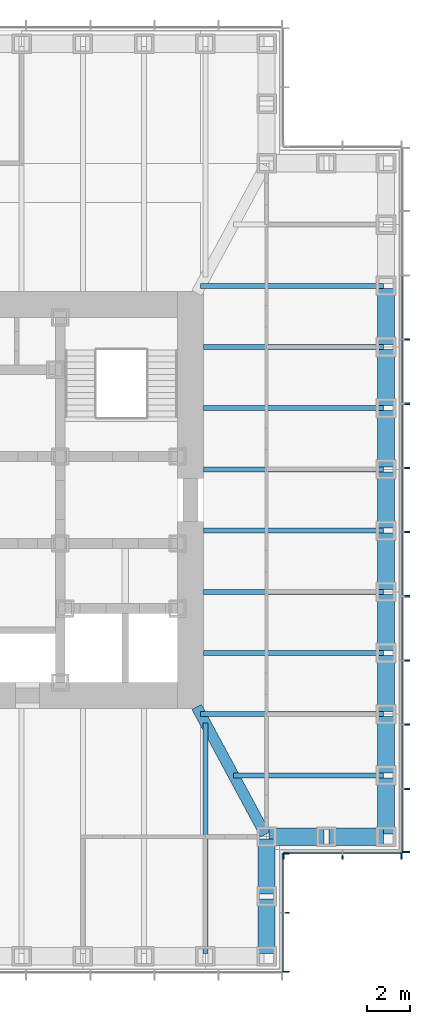
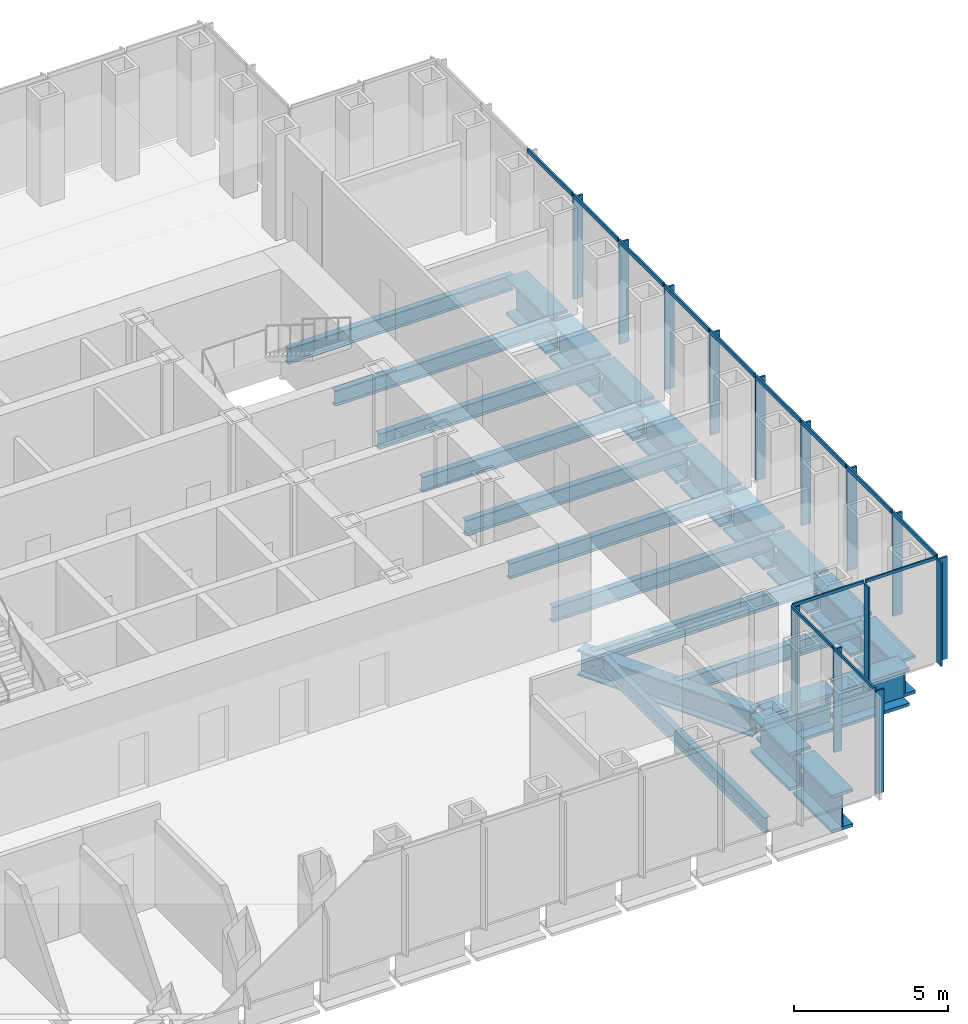
# One storey, part 4 of 16: 28 members, 24 beams, 3 elements without a shape of their own.
"""IFC4 building model written with IfcOpenShell, lengths in metres."""

from ifc_helpers import new_model, si_unit, direction, frame, origin, origin_2d, place, context, subcontext, project, spatial, rectangle, i_section, extrude, material, material_profile, profile_set, type_object, element, aggregate, save


model = new_model("IFC4")

# Units and contexts
model_context = context("Model", 3, precision=1e-05, world=origin(), true_north=direction((0.0, 1.0)))
body_context = subcontext(model_context, "Body", "Model", "MODEL_VIEW")
ifc_project = project(units=[si_unit("LENGTHUNIT", "METRE"), si_unit("AREAUNIT", "SQUARE_METRE"), si_unit("VOLUMEUNIT", "CUBIC_METRE"), si_unit("PLANEANGLEUNIT", "RADIAN"), si_unit("MASSUNIT", "GRAM", prefix="KILO")], contexts=[model_context])

# Site, building, storey
site_placement = place(None, origin())
site = spatial("IfcSite", under=ifc_project, at=site_placement, CompositionType="ELEMENT")
building_placement = place(site_placement, origin())
building = spatial("IfcBuilding", under=site, at=building_placement, Name="Daluyong Arena Tower", CompositionType="ELEMENT")
storey_placement = place(building_placement, frame((0.0, 0.0, 198.10009765625)))
storey = spatial("IfcBuildingStorey", under=building, at=storey_placement, Name="L44", CompositionType="ELEMENT", Elevation=198.10009765625)

# Curtain wall, members
ifc_material_1 = material(Name="Bronze anodised aluminium and glass", Category="aluminium")
curtain_wall_type_1 = type_object("IfcCurtainWallType", Name="Curtain wall CW3", PredefinedType="USERDEFINED", material=ifc_material_1)
curtain_wall_1_placement = place(storey_placement, origin())
curtain_wall_1 = element("IfcCurtainWall", 1, at=curtain_wall_1_placement, inside=storey, type_object=curtain_wall_type_1, Name="curtain wall L44 E", ObjectType="UNITISED CURTAIN WALL", PredefinedType="USERDEFINED")
ifc_material_2 = material(Name="Bronze anodised aluminium fin", Category="aluminium")
ifc_material_profile_1 = material_profile(ifc_material_2, rectangle(XDim=0.35009765625, YDim=0.070068359375, at=origin_2d()))
ifc_profile_set_1 = profile_set([ifc_material_profile_1], Name="Bronze anodised aluminium fin")
member_type_1 = type_object("IfcMemberType", Name="CW3 bronze fin 350x70", PredefinedType="MULLION", material=ifc_profile_set_1)
member_1_placement = place(storey_placement, frame((77.925048828125, 63.784912109375, 0.0), z_axis=(0.0, 0.0, 1.0), x_axis=(-1.0, 0.0, 0.0)))
member_1 = element("IfcMember", 2, at=member_1_placement, type_object=member_type_1, Name="curtain wall L44 E fin 1", PredefinedType="MULLION", context=body_context, shape_type="SweptSolid", body=[
    extrude(rectangle(XDim=0.35009765625, YDim=0.070068359375, at=origin_2d()), origin(), (0.0, 0.0, 1.0), 4.039794921875),
])
member_2_placement = place(storey_placement, frame((77.925048828125, 66.70458984375, 0.0), z_axis=(0.0, 0.0, 1.0), x_axis=(-1.0, 0.0, 0.0)))
member_2 = element("IfcMember", 3, at=member_2_placement, type_object=member_type_1, Name="curtain wall L44 E fin 2", PredefinedType="MULLION", context=body_context, shape_type="SweptSolid", body=[
    extrude(rectangle(XDim=0.35009765625, YDim=0.070068359375, at=origin_2d()), origin(), (0.0, 0.0, 1.0), 4.039794921875),
])
member_3_placement = place(storey_placement, frame((77.925048828125, 69.6591796875, 0.0), z_axis=(0.0, 0.0, 1.0), x_axis=(-1.0, 0.0, 0.0)))
member_3 = element("IfcMember", 4, at=member_3_placement, type_object=member_type_1, Name="curtain wall L44 E fin 3", PredefinedType="MULLION", context=body_context, shape_type="SweptSolid", body=[
    extrude(rectangle(XDim=0.35009765625, YDim=0.070068359375, at=origin_2d()), origin(), (0.0, 0.0, 1.0), 4.039794921875),
])
member_4_placement = place(storey_placement, frame((77.925048828125, 72.613525390625, 0.0), z_axis=(0.0, 0.0, 1.0), x_axis=(-1.0, 0.0, 0.0)))
member_4 = element("IfcMember", 5, at=member_4_placement, type_object=member_type_1, Name="curtain wall L44 E fin 4", PredefinedType="MULLION", context=body_context, shape_type="SweptSolid", body=[
    extrude(rectangle(XDim=0.35009765625, YDim=0.070068359375, at=origin_2d()), origin(), (0.0, 0.0, 1.0), 4.039794921875),
])
member_5_placement = place(storey_placement, frame((77.925048828125, 75.568115234375, 0.0), z_axis=(0.0, 0.0, 1.0), x_axis=(-1.0, 0.0, 0.0)))
member_5 = element("IfcMember", 6, at=member_5_placement, type_object=member_type_1, Name="curtain wall L44 E fin 5", PredefinedType="MULLION", context=body_context, shape_type="SweptSolid", body=[
    extrude(rectangle(XDim=0.35009765625, YDim=0.070068359375, at=origin_2d()), origin(), (0.0, 0.0, 1.0), 4.039794921875),
])
member_6_placement = place(storey_placement, frame((77.925048828125, 78.522705078125, 0.0), z_axis=(0.0, 0.0, 1.0), x_axis=(-1.0, 0.0, 0.0)))
member_6 = element("IfcMember", 7, at=member_6_placement, type_object=member_type_1, Name="curtain wall L44 E fin 6", PredefinedType="MULLION", context=body_context, shape_type="SweptSolid", body=[
    extrude(rectangle(XDim=0.35009765625, YDim=0.070068359375, at=origin_2d()), origin(), (0.0, 0.0, 1.0), 4.039794921875),
])
member_7_placement = place(storey_placement, frame((77.925048828125, 81.477294921875, 0.0), z_axis=(0.0, 0.0, 1.0), x_axis=(-1.0, 0.0, 0.0)))
member_7 = element("IfcMember", 8, at=member_7_placement, type_object=member_type_1, Name="curtain wall L44 E fin 7", PredefinedType="MULLION", context=body_context, shape_type="SweptSolid", body=[
    extrude(rectangle(XDim=0.35009765625, YDim=0.070068359375, at=origin_2d()), origin(), (0.0, 0.0, 1.0), 4.039794921875),
])
member_8_placement = place(storey_placement, frame((77.925048828125, 84.431884765625, 0.0), z_axis=(0.0, 0.0, 1.0), x_axis=(-1.0, 0.0, 0.0)))
member_8 = element("IfcMember", 9, at=member_8_placement, type_object=member_type_1, Name="curtain wall L44 E fin 8", PredefinedType="MULLION", context=body_context, shape_type="SweptSolid", body=[
    extrude(rectangle(XDim=0.35009765625, YDim=0.070068359375, at=origin_2d()), origin(), (0.0, 0.0, 1.0), 4.039794921875),
])
member_9_placement = place(storey_placement, frame((77.925048828125, 87.386474609375, 0.0), z_axis=(0.0, 0.0, 1.0), x_axis=(-1.0, 0.0, 0.0)))
member_9 = element("IfcMember", 10, at=member_9_placement, type_object=member_type_1, Name="curtain wall L44 E fin 9", PredefinedType="MULLION", context=body_context, shape_type="SweptSolid", body=[
    extrude(rectangle(XDim=0.35009765625, YDim=0.070068359375, at=origin_2d()), origin(), (0.0, 0.0, 1.0), 4.039794921875),
])
ifc_material_3 = material(Name="Bronze anodised aluminium", Category="aluminium")
ifc_material_profile_2 = material_profile(ifc_material_3, rectangle(XDim=0.070068359375, YDim=0.159912109375, at=origin_2d()))
ifc_profile_set_2 = profile_set([ifc_material_profile_2], Name="Bronze anodised aluminium")
member_type_2 = type_object("IfcMemberType", Name="CW3 stack transom 160x70", PredefinedType="USERDEFINED", material=ifc_profile_set_2)
member_10_placement = place(storey_placement, frame((77.75, 63.820068359375, 4.119873046875), z_axis=(0.0, 1.0, 0.0), x_axis=(-1.0, 0.0, 0.0)))
member_10 = element("IfcMember", 11, at=member_10_placement, type_object=member_type_2, Name="curtain wall L44 E transom 1", ObjectType="TRANSOM", PredefinedType="USERDEFINED", context=body_context, shape_type="SweptSolid", body=[
    extrude(rectangle(XDim=0.070068359375, YDim=0.159912109375, at=origin_2d()), origin(), (0.0, 0.0, 1.0), 2.849365234375),
])
member_11_placement = place(storey_placement, frame((77.75, 66.739501953125, 4.119873046875), z_axis=(0.0, 1.0, 0.0), x_axis=(-1.0, 0.0, 0.0)))
member_11 = element("IfcMember", 12, at=member_11_placement, type_object=member_type_2, Name="curtain wall L44 E transom 2", ObjectType="TRANSOM", PredefinedType="USERDEFINED", context=body_context, shape_type="SweptSolid", body=[
    extrude(rectangle(XDim=0.070068359375, YDim=0.159912109375, at=origin_2d()), origin(), (0.0, 0.0, 1.0), 2.884521484375),
])
member_12_placement = place(storey_placement, frame((77.75, 69.694091796875, 4.119873046875), z_axis=(0.0, 1.0, 0.0), x_axis=(-1.0, 0.0, 0.0)))
member_12 = element("IfcMember", 13, at=member_12_placement, type_object=member_type_2, Name="curtain wall L44 E transom 3", ObjectType="TRANSOM", PredefinedType="USERDEFINED", context=body_context, shape_type="SweptSolid", body=[
    extrude(rectangle(XDim=0.070068359375, YDim=0.159912109375, at=origin_2d()), origin(), (0.0, 0.0, 1.0), 2.884521484375),
])
member_13_placement = place(storey_placement, frame((77.75, 72.648681640625, 4.119873046875), z_axis=(0.0, 1.0, 0.0), x_axis=(-1.0, 0.0, 0.0)))
member_13 = element("IfcMember", 14, at=member_13_placement, type_object=member_type_2, Name="curtain wall L44 E transom 4", ObjectType="TRANSOM", PredefinedType="USERDEFINED", context=body_context, shape_type="SweptSolid", body=[
    extrude(rectangle(XDim=0.070068359375, YDim=0.159912109375, at=origin_2d()), origin(), (0.0, 0.0, 1.0), 2.884521484375),
])
member_14_placement = place(storey_placement, frame((77.75, 75.603271484375, 4.119873046875), z_axis=(0.0, 1.0, 0.0), x_axis=(-1.0, 0.0, 0.0)))
member_14 = element("IfcMember", 15, at=member_14_placement, type_object=member_type_2, Name="curtain wall L44 E transom 5", ObjectType="TRANSOM", PredefinedType="USERDEFINED", context=body_context, shape_type="SweptSolid", body=[
    extrude(rectangle(XDim=0.070068359375, YDim=0.159912109375, at=origin_2d()), origin(), (0.0, 0.0, 1.0), 2.884521484375),
])
member_15_placement = place(storey_placement, frame((77.75, 78.5576171875, 4.119873046875), z_axis=(0.0, 1.0, 0.0), x_axis=(-1.0, 0.0, 0.0)))
member_15 = element("IfcMember", 16, at=member_15_placement, type_object=member_type_2, Name="curtain wall L44 E transom 6", ObjectType="TRANSOM", PredefinedType="USERDEFINED", context=body_context, shape_type="SweptSolid", body=[
    extrude(rectangle(XDim=0.070068359375, YDim=0.159912109375, at=origin_2d()), origin(), (0.0, 0.0, 1.0), 2.884765625),
])
member_16_placement = place(storey_placement, frame((77.75, 81.51220703125, 4.119873046875), z_axis=(0.0, 1.0, 0.0), x_axis=(-1.0, 0.0, 0.0)))
member_16 = element("IfcMember", 17, at=member_16_placement, type_object=member_type_2, Name="curtain wall L44 E transom 7", ObjectType="TRANSOM", PredefinedType="USERDEFINED", context=body_context, shape_type="SweptSolid", body=[
    extrude(rectangle(XDim=0.070068359375, YDim=0.159912109375, at=origin_2d()), origin(), (0.0, 0.0, 1.0), 2.884521484375),
])
member_17_placement = place(storey_placement, frame((77.75, 84.466796875, 4.119873046875), z_axis=(0.0, 1.0, 0.0), x_axis=(-1.0, 0.0, 0.0)))
member_17 = element("IfcMember", 18, at=member_17_placement, type_object=member_type_2, Name="curtain wall L44 E transom 8", ObjectType="TRANSOM", PredefinedType="USERDEFINED", context=body_context, shape_type="SweptSolid", body=[
    extrude(rectangle(XDim=0.070068359375, YDim=0.159912109375, at=origin_2d()), origin(), (0.0, 0.0, 1.0), 2.884521484375),
])
member_18_placement = place(storey_placement, frame((77.75, 87.42138671875, 4.119873046875), z_axis=(0.0, 1.0, 0.0), x_axis=(-1.0, 0.0, 0.0)))
member_18 = element("IfcMember", 19, at=member_18_placement, type_object=member_type_2, Name="curtain wall L44 E transom 9", ObjectType="TRANSOM", PredefinedType="USERDEFINED", context=body_context, shape_type="SweptSolid", body=[
    extrude(rectangle(XDim=0.070068359375, YDim=0.159912109375, at=origin_2d()), origin(), (0.0, 0.0, 1.0), 2.884521484375),
])
aggregate(curtain_wall_1, [member_1, member_2, member_3, member_4, member_5, member_6, member_7, member_8, member_9, member_10, member_11, member_12, member_13, member_14, member_15, member_16, member_17, member_18])

ifc_material_4 = material(Name="Bronze anodised aluminium and glass", Category="aluminium")
curtain_wall_type_2 = type_object("IfcCurtainWallType", Name="Curtain wall CW7", PredefinedType="USERDEFINED", material=ifc_material_4)
curtain_wall_2_placement = place(storey_placement, origin())
curtain_wall_2 = element("IfcCurtainWall", 20, at=curtain_wall_2_placement, inside=storey, type_object=curtain_wall_type_2, Name="curtain wall L44 SE-E", ObjectType="UNITISED CURTAIN WALL", PredefinedType="USERDEFINED")
ifc_material_5 = material(Name="Bronze anodised aluminium fin", Category="aluminium")
ifc_material_profile_3 = material_profile(ifc_material_5, rectangle(XDim=0.300048828125, YDim=0.06005859375, at=origin_2d()))
ifc_profile_set_3 = profile_set([ifc_material_profile_3], Name="Bronze anodised aluminium fin")
member_type_3 = type_object("IfcMemberType", Name="CW7 bronze fin 300x60", PredefinedType="MULLION", material=ifc_profile_set_3)
member_19_placement = place(storey_placement, frame((72.39990234375, 58.280029296875, 0.0), z_axis=(0.0, 0.0, 1.0), x_axis=(-1.0, 0.0, 0.0)))
member_19 = element("IfcMember", 21, at=member_19_placement, type_object=member_type_3, Name="curtain wall L44 SE-E fin 1", PredefinedType="MULLION", context=body_context, shape_type="SweptSolid", body=[
    extrude(rectangle(XDim=0.300048828125, YDim=0.06005859375, at=origin_2d()), origin(), (0.0, 0.0, 1.0), 4.079833984375),
])
member_20_placement = place(storey_placement, frame((72.39990234375, 61.0, 0.0), z_axis=(0.0, 0.0, 1.0), x_axis=(-1.0, 0.0, 0.0)))
member_20 = element("IfcMember", 22, at=member_20_placement, type_object=member_type_3, Name="curtain wall L44 SE-E fin 2", PredefinedType="MULLION", context=body_context, shape_type="SweptSolid", body=[
    extrude(rectangle(XDim=0.300048828125, YDim=0.06005859375, at=origin_2d()), origin(), (0.0, 0.0, 1.0), 4.079833984375),
])
member_21_placement = place(storey_placement, frame((72.39990234375, 63.719970703125, 0.0), z_axis=(0.0, 0.0, 1.0), x_axis=(-1.0, 0.0, 0.0)))
member_21 = element("IfcMember", 23, at=member_21_placement, type_object=member_type_3, Name="curtain wall L44 SE-E fin 3", PredefinedType="MULLION", context=body_context, shape_type="SweptSolid", body=[
    extrude(rectangle(XDim=0.300048828125, YDim=0.06005859375, at=origin_2d()), origin(), (0.0, 0.0, 1.0), 4.079833984375),
])

curtain_wall_3_placement = place(storey_placement, origin())
curtain_wall_3 = element("IfcCurtainWall", 24, at=curtain_wall_3_placement, inside=storey, type_object=curtain_wall_type_2, Name="curtain wall L44 SE-S", ObjectType="UNITISED CURTAIN WALL", PredefinedType="USERDEFINED")
member_22_placement = place(storey_placement, frame((72.280029296875, 63.60009765625, 0.0), z_axis=(0.0, 0.0, 1.0), x_axis=(0.0, 1.0, 0.0)))
member_22 = element("IfcMember", 25, at=member_22_placement, type_object=member_type_3, Name="curtain wall L44 SE-S fin 1", PredefinedType="MULLION", context=body_context, shape_type="SweptSolid", body=[
    extrude(rectangle(XDim=0.300048828125, YDim=0.06005859375, at=origin_2d()), origin(), (0.0, 0.0, 1.0), 4.079833984375),
])
member_23_placement = place(storey_placement, frame((75.0, 63.60009765625, 0.0), z_axis=(0.0, 0.0, 1.0), x_axis=(0.0, 1.0, 0.0)))
member_23 = element("IfcMember", 26, at=member_23_placement, type_object=member_type_3, Name="curtain wall L44 SE-S fin 2", PredefinedType="MULLION", context=body_context, shape_type="SweptSolid", body=[
    extrude(rectangle(XDim=0.300048828125, YDim=0.06005859375, at=origin_2d()), origin(), (0.0, 0.0, 1.0), 4.079833984375),
])
member_24_placement = place(storey_placement, frame((77.719970703125, 63.60009765625, 0.0), z_axis=(0.0, 0.0, 1.0), x_axis=(0.0, 1.0, 0.0)))
member_24 = element("IfcMember", 27, at=member_24_placement, type_object=member_type_3, Name="curtain wall L44 SE-S fin 3", PredefinedType="MULLION", context=body_context, shape_type="SweptSolid", body=[
    extrude(rectangle(XDim=0.300048828125, YDim=0.06005859375, at=origin_2d()), origin(), (0.0, 0.0, 1.0), 4.079833984375),
])

# Member
ifc_material_6 = material(Name="Bronze anodised aluminium", Category="aluminium")
ifc_material_profile_4 = material_profile(ifc_material_6, rectangle(XDim=0.06005859375, YDim=0.1201171875, at=origin_2d()))
ifc_profile_set_4 = profile_set([ifc_material_profile_4], Name="Bronze anodised aluminium")
member_type_4 = type_object("IfcMemberType", Name="CW7 stack transom 120x60", PredefinedType="USERDEFINED", material=ifc_profile_set_4)
member_25_placement = place(storey_placement, frame((72.25, 58.31005859375, 4.139892578125), z_axis=(0.0, 1.0, 0.0), x_axis=(-1.0, 0.0, 0.0)))
member_25 = element("IfcMember", 28, at=member_25_placement, type_object=member_type_4, Name="curtain wall L44 SE-E transom 1", ObjectType="TRANSOM", PredefinedType="USERDEFINED", context=body_context, shape_type="SweptSolid", body=[
    extrude(rectangle(XDim=0.06005859375, YDim=0.1201171875, at=origin_2d()), origin(), (0.0, 0.0, 1.0), 2.659912109375),
])

member_26_placement = place(storey_placement, frame((72.25, 61.030029296875, 4.139892578125), z_axis=(0.0, 1.0, 0.0), x_axis=(-1.0, 0.0, 0.0)))
member_26 = element("IfcMember", 29, at=member_26_placement, type_object=member_type_4, Name="curtain wall L44 SE-E transom 2", ObjectType="TRANSOM", PredefinedType="USERDEFINED", context=body_context, shape_type="SweptSolid", body=[
    extrude(rectangle(XDim=0.06005859375, YDim=0.1201171875, at=origin_2d()), origin(), (0.0, 0.0, 1.0), 2.659912109375),
])

aggregate(curtain_wall_2, [member_19, member_20, member_21, member_25, member_26])

member_27_placement = place(storey_placement, frame((72.31005859375, 63.75, 4.139892578125), z_axis=(1.0, 0.0, 0.0), x_axis=(0.0, 1.0, 0.0)))
member_27 = element("IfcMember", 30, at=member_27_placement, type_object=member_type_4, Name="curtain wall L44 SE-S transom 1", ObjectType="TRANSOM", PredefinedType="USERDEFINED", context=body_context, shape_type="SweptSolid", body=[
    extrude(rectangle(XDim=0.06005859375, YDim=0.1201171875, at=origin_2d()), origin(), (0.0, 0.0, 1.0), 2.659912109375),
])

member_28_placement = place(storey_placement, frame((75.030029296875, 63.75, 4.139892578125), z_axis=(1.0, 0.0, 0.0), x_axis=(0.0, 1.0, 0.0)))
member_28 = element("IfcMember", 31, at=member_28_placement, type_object=member_type_4, Name="curtain wall L44 SE-S transom 2", ObjectType="TRANSOM", PredefinedType="USERDEFINED", context=body_context, shape_type="SweptSolid", body=[
    extrude(rectangle(XDim=0.06005859375, YDim=0.1201171875, at=origin_2d()), origin(), (0.0, 0.0, 1.0), 2.659912109375),
])

aggregate(curtain_wall_3, [member_22, member_23, member_24, member_27, member_28])

# Beams
ifc_material_7 = material(Name="Steel ASTM A572 Grade 50", Category="steel")
ifc_material_profile_5 = material_profile(ifc_material_7, i_section(OverallWidth=0.5, OverallDepth=1.0, WebThickness=0.03, FlangeThickness=0.06, at=origin_2d()))
ifc_profile_set_5 = profile_set([ifc_material_profile_5], Name="Steel ASTM A572 Grade 50")
beam_type_1 = type_object("IfcBeamType", Name="Corner girder TB1000X500", PredefinedType="BEAM", material=ifc_profile_set_5)
beam_1_placement = place(storey_placement, frame((71.445556640625, 64.601318359375, -0.66015625), z_axis=(-0.474119475266, 0.880460517669, 0.0), x_axis=(-0.880460517669, -0.474119475266, 0.0)))
element("IfcBeam", 32, at=beam_1_placement, inside=storey, type_object=beam_type_1, Name="corner girder DG2", PredefinedType="BEAM", context=body_context, shape_type="SweptSolid", body=[
    extrude(i_section(OverallWidth=0.5, OverallDepth=1.0, WebThickness=0.03, FlangeThickness=0.06, at=origin_2d()), origin(), (0.0, 0.0, 1.0), 6.66748046875),
])
ifc_material_8 = material(Name="Steel ASTM A992 Grade 50", Category="steel")
ifc_material_profile_6 = material_profile(ifc_material_8, i_section(OverallWidth=0.22900390625, OverallDepth=0.612060546875, WebThickness=0.011962890625, FlangeThickness=0.01953125, at=origin_2d()))
ifc_profile_set_6 = profile_set([ifc_material_profile_6], Name="Steel ASTM A992 Grade 50")
beam_type_2 = type_object("IfcBeamType", Name="Floor beam W24X84", PredefinedType="BEAM", material=ifc_profile_set_6)
beam_2_placement = place(storey_placement, frame((68.681884765625, 59.114990234375, -0.466064453125), z_axis=(0.0, 1.0, 0.0), x_axis=(-1.0, 0.0, 0.0)))
element("IfcBeam", 33, at=beam_2_placement, inside=storey, type_object=beam_type_2, Name="floor beam FB3", PredefinedType="BEAM", context=body_context, shape_type="SweptSolid", body=[
    extrude(i_section(OverallWidth=0.22900390625, OverallDepth=0.612060546875, WebThickness=0.011962890625, FlangeThickness=0.01953125, at=origin_2d()), origin(), (0.0, 0.0, 1.0), 10.618896484375),
])
beam_3_placement = place(storey_placement, frame((76.885009765625, 67.318115234375, -0.466064453125), z_axis=(-1.0, 0.0, 0.0), x_axis=(0.0, -1.0, 0.0)))
element("IfcBeam", 34, at=beam_3_placement, inside=storey, type_object=beam_type_2, Name="floor beam FB3", PredefinedType="BEAM", context=body_context, shape_type="SweptSolid", body=[
    extrude(i_section(OverallWidth=0.22900390625, OverallDepth=0.612060546875, WebThickness=0.011962890625, FlangeThickness=0.01953125, at=origin_2d()), origin(), (0.0, 0.0, 1.0), 6.902587890625),
])
beam_4_placement = place(storey_placement, frame((76.885009765625, 70.136474609375, -0.466064453125), z_axis=(-1.0, 0.0, 0.0), x_axis=(0.0, -1.0, 0.0)))
element("IfcBeam", 35, at=beam_4_placement, inside=storey, type_object=beam_type_2, Name="floor beam FB3", PredefinedType="BEAM", context=body_context, shape_type="SweptSolid", body=[
    extrude(i_section(OverallWidth=0.22900390625, OverallDepth=0.612060546875, WebThickness=0.011962890625, FlangeThickness=0.01953125, at=origin_2d()), origin(), (0.0, 0.0, 1.0), 8.419921875),
])
for number, where, z_axis, x_axis, name in (
    (36, (76.885009765625, 72.95458984375, -0.466064453125), (-1.0, 0.0, 0.0), (0.0, -1.0, 0.0), "floor beam FB3"),
    (37, (76.885009765625, 75.772705078125, -0.466064453125), (-1.0, 0.0, 0.0), (0.0, -1.0, 0.0), "floor beam FB3"),
    (38, (76.885009765625, 78.5908203125, -0.466064453125), (-1.0, 0.0, 0.0), (0.0, -1.0, 0.0), "floor beam FB3"),
    (39, (76.885009765625, 81.4091796875, -0.466064453125), (-1.0, 0.0, 0.0), (0.0, -1.0, 0.0), "floor beam FB3"),
    (40, (76.885009765625, 84.227294921875, -0.466064453125), (-1.0, 0.0, 0.0), (0.0, -1.0, 0.0), "floor beam FB3"),
    (41, (76.885009765625, 87.04541015625, -0.466064453125), (-1.0, 0.0, 0.0), (0.0, -1.0, 0.0), "floor beam FB3"),
):
    element("IfcBeam", number, at=place(storey_placement, frame(where, z_axis=z_axis, x_axis=x_axis)), inside=storey, type_object=beam_type_2, Name=name, PredefinedType="BEAM", context=body_context, shape_type="SweptSolid", body=[
        extrude(i_section(OverallWidth=0.22900390625, OverallDepth=0.612060546875, WebThickness=0.011962890625, FlangeThickness=0.01953125, at=origin_2d()), origin(), (0.0, 0.0, 1.0), 8.284912109375),
    ])
beam_5_placement = place(storey_placement, frame((76.885009765625, 89.863525390625, -0.466064453125), z_axis=(-1.0, 0.0, 0.0), x_axis=(0.0, -1.0, 0.0)))
element("IfcBeam", 42, at=beam_5_placement, inside=storey, type_object=beam_type_2, Name="floor beam FB3", PredefinedType="BEAM", context=body_context, shape_type="SweptSolid", body=[
    extrude(i_section(OverallWidth=0.22900390625, OverallDepth=0.612060546875, WebThickness=0.011962890625, FlangeThickness=0.01953125, at=origin_2d()), origin(), (0.0, 0.0, 1.0), 8.419921875),
])
ifc_material_9 = material(Name="Steel ASTM A588 Grade 50", Category="steel")
ifc_material_profile_7 = material_profile(ifc_material_9, i_section(OverallWidth=0.800048828125, OverallDepth=1.5, WebThickness=0.05, FlangeThickness=0.12, at=origin_2d()))
ifc_profile_set_7 = profile_set([ifc_material_profile_7], Name="Steel ASTM A588 Grade 50")
beam_type_3 = type_object("IfcBeamType", Name="Spandrel Z3 PG1500X800", PredefinedType="SPANDREL", material=ifc_profile_set_7)
for number, where, z_axis, x_axis, name in (
    (43, (71.5, 59.114990234375, -0.91015625), (0.0, 1.0, 0.0), (-1.0, 0.0, 0.0), "spandrel z3 SB7"),
    (44, (71.5, 61.864990234375, -0.91015625), (0.0, 1.0, 0.0), (-1.0, 0.0, 0.0), "spandrel z3 SB7"),
    (45, (71.614990234375, 64.5, -0.91015625), (1.0, 0.0, 0.0), (0.0, 1.0, 0.0), "spandrel z3 SB7"),
    (46, (74.364990234375, 64.5, -0.91015625), (1.0, 0.0, 0.0), (0.0, 1.0, 0.0), "spandrel z3 SB7"),
):
    element("IfcBeam", number, at=place(storey_placement, frame(where, z_axis=z_axis, x_axis=x_axis)), inside=storey, type_object=beam_type_3, Name=name, PredefinedType="SPANDREL", context=body_context, shape_type="SweptSolid", body=[
        extrude(i_section(OverallWidth=0.800048828125, OverallDepth=1.5, WebThickness=0.05, FlangeThickness=0.12, at=origin_2d()), origin(), (0.0, 0.0, 1.0), 2.52001953125),
    ])
beam_6_placement = place(storey_placement, frame((77.0, 64.614990234375, -0.91015625), z_axis=(0.0, 1.0, 0.0), x_axis=(-1.0, 0.0, 0.0)))
element("IfcBeam", 47, at=beam_6_placement, inside=storey, type_object=beam_type_3, Name="spandrel z3 SB7", PredefinedType="SPANDREL", context=body_context, shape_type="SweptSolid", body=[
    extrude(i_section(OverallWidth=0.800048828125, OverallDepth=1.5, WebThickness=0.05, FlangeThickness=0.12, at=origin_2d()), origin(), (0.0, 0.0, 1.0), 2.588134765625),
])
beam_7_placement = place(storey_placement, frame((77.0, 67.43310546875, -0.91015625), z_axis=(0.0, 1.0, 0.0), x_axis=(-1.0, 0.0, 0.0)))
element("IfcBeam", 48, at=beam_7_placement, inside=storey, type_object=beam_type_3, Name="spandrel z3 SB7", PredefinedType="SPANDREL", context=body_context, shape_type="SweptSolid", body=[
    extrude(i_section(OverallWidth=0.800048828125, OverallDepth=1.5, WebThickness=0.05, FlangeThickness=0.12, at=origin_2d()), origin(), (0.0, 0.0, 1.0), 2.58837890625),
])
for number, where, z_axis, x_axis, name in (
    (49, (77.0, 70.25146484375, -0.91015625), (0.0, 1.0, 0.0), (-1.0, 0.0, 0.0), "spandrel z3 SB7"),
    (50, (77.0, 73.069580078125, -0.91015625), (0.0, 1.0, 0.0), (-1.0, 0.0, 0.0), "spandrel z3 SB7"),
    (51, (77.0, 75.8876953125, -0.91015625), (0.0, 1.0, 0.0), (-1.0, 0.0, 0.0), "spandrel z3 SB7"),
):
    element("IfcBeam", number, at=place(storey_placement, frame(where, z_axis=z_axis, x_axis=x_axis)), inside=storey, type_object=beam_type_3, Name=name, PredefinedType="SPANDREL", context=body_context, shape_type="SweptSolid", body=[
        extrude(i_section(OverallWidth=0.800048828125, OverallDepth=1.5, WebThickness=0.05, FlangeThickness=0.12, at=origin_2d()), origin(), (0.0, 0.0, 1.0), 2.588134765625),
    ])
beam_8_placement = place(storey_placement, frame((77.0, 78.705810546875, -0.91015625), z_axis=(0.0, 1.0, 0.0), x_axis=(-1.0, 0.0, 0.0)))
element("IfcBeam", 52, at=beam_8_placement, inside=storey, type_object=beam_type_3, Name="spandrel z3 SB7", PredefinedType="SPANDREL", context=body_context, shape_type="SweptSolid", body=[
    extrude(i_section(OverallWidth=0.800048828125, OverallDepth=1.5, WebThickness=0.05, FlangeThickness=0.12, at=origin_2d()), origin(), (0.0, 0.0, 1.0), 2.58837890625),
])
for number, where, z_axis, x_axis, name in (
    (53, (77.0, 81.524169921875, -0.91015625), (0.0, 1.0, 0.0), (-1.0, 0.0, 0.0), "spandrel z3 SB7"),
    (54, (77.0, 84.34228515625, -0.91015625), (0.0, 1.0, 0.0), (-1.0, 0.0, 0.0), "spandrel z3 SB7"),
    (55, (77.0, 87.160400390625, -0.91015625), (0.0, 1.0, 0.0), (-1.0, 0.0, 0.0), "spandrel z3 SB7"),
):
    element("IfcBeam", number, at=place(storey_placement, frame(where, z_axis=z_axis, x_axis=x_axis)), inside=storey, type_object=beam_type_3, Name=name, PredefinedType="SPANDREL", context=body_context, shape_type="SweptSolid", body=[
        extrude(i_section(OverallWidth=0.800048828125, OverallDepth=1.5, WebThickness=0.05, FlangeThickness=0.12, at=origin_2d()), origin(), (0.0, 0.0, 1.0), 2.588134765625),
    ])

save(model, "model.ifc")
